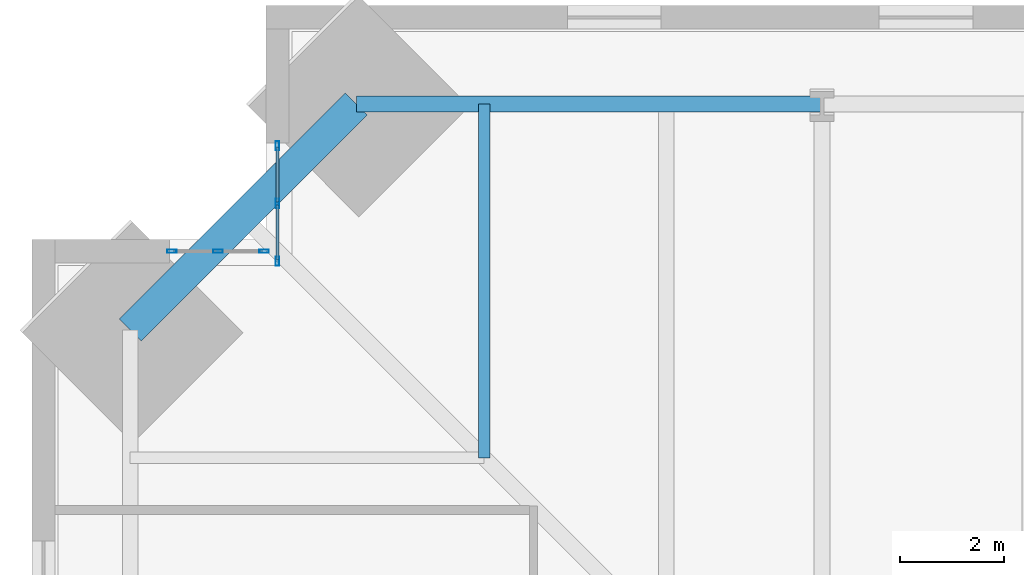
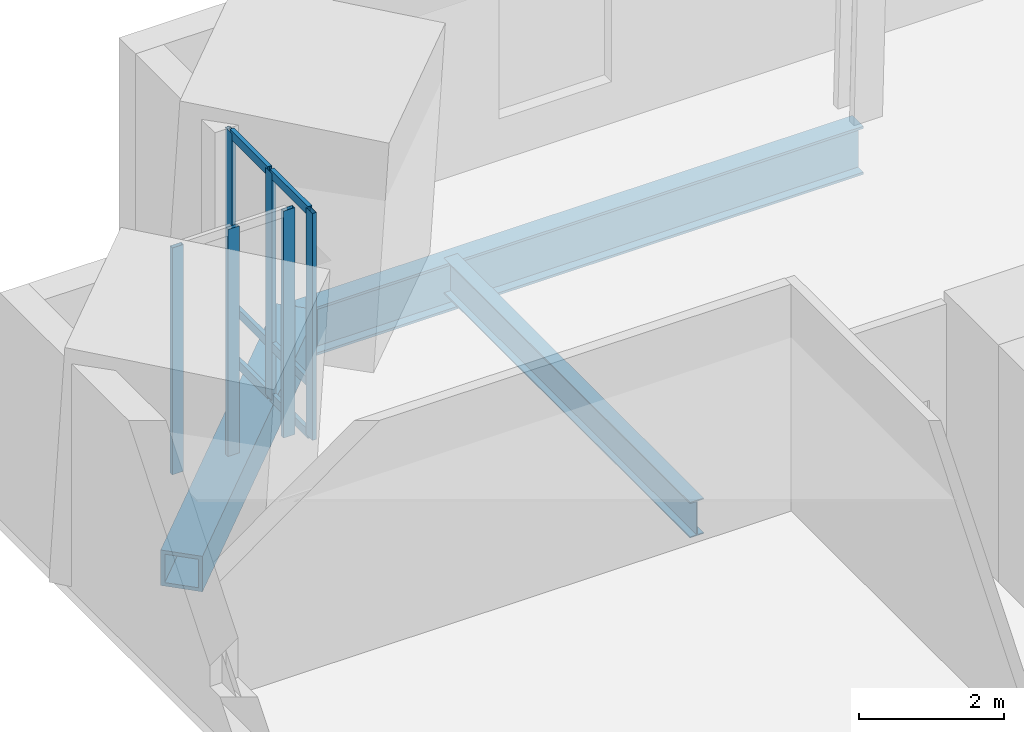
# One storey, part 6 of 15: 12 members, 3 beams, 2 elements without a shape of their own.
"""IFC4 building model written with IfcOpenShell, lengths in metres."""

from ifc_helpers import new_model, si_unit, direction, frame, origin, origin_2d, place, context, subcontext, project, spatial, hollow_rectangle, i_section, extrude, material, material_profile, profile_set, type_object, element, aggregate, save


model = new_model("IFC4")

# Units and contexts
model_context = context("Model", 3, precision=1e-05, world=origin(), true_north=direction((0.0, 1.0)))
body_context = subcontext(model_context, "Body", "Model", "MODEL_VIEW")
ifc_project = project(units=[si_unit("LENGTHUNIT", "METRE"), si_unit("AREAUNIT", "SQUARE_METRE"), si_unit("VOLUMEUNIT", "CUBIC_METRE"), si_unit("PLANEANGLEUNIT", "RADIAN"), si_unit("MASSUNIT", "GRAM", prefix="KILO")], contexts=[model_context])

# Site, building, storey
site_placement = place(None, origin())
site = spatial("IfcSite", under=ifc_project, at=site_placement, CompositionType="ELEMENT")
building_placement = place(site_placement, origin())
building = spatial("IfcBuilding", under=site, at=building_placement, Name="Peilmerk Tower", CompositionType="ELEMENT")
storey_placement = place(building_placement, frame((0.0, 0.0, 237.800048828125)))
storey = spatial("IfcBuildingStorey", under=building, at=storey_placement, Name="L52", CompositionType="ELEMENT", Elevation=237.800048828125)

# Beams
ifc_material_1 = material(Name="Steel S355", Category="steel")
ifc_material_profile_1 = material_profile(ifc_material_1, i_section(OverallWidth=0.219970703125, OverallDepth=0.60009765625, WebThickness=0.011962890625, FlangeThickness=0.01904296875, at=origin_2d()), Name="IPE 600")
ifc_profile_set_1 = profile_set([ifc_material_profile_1], Name="Steel S355")
beam_type_1 = type_object("IfcBeamType", Name="B10 IPE 600 floor beam", PredefinedType="BEAM", material=ifc_profile_set_1)
beam_1_placement = place(storey_placement, frame((-14.5, 14.5, -0.469970703125), z_axis=(0.0, 1.0, 0.0), x_axis=(-1.0, 0.0, 0.0)))
element("IfcBeam", 1, at=beam_1_placement, inside=storey, type_object=beam_type_1, Name="Floor beam L52", PredefinedType="BEAM", context=body_context, shape_type="SweptSolid", body=[
    extrude(i_section(OverallWidth=0.219970703125, OverallDepth=0.60009765625, WebThickness=0.011962890625, FlangeThickness=0.01904296875, at=origin_2d()), origin(), (0.0, 0.0, 1.0), 6.80810546875),
])
ifc_material_profile_2 = material_profile(ifc_material_1, i_section(OverallWidth=0.302978515625, OverallDepth=0.81396484375, WebThickness=0.02099609375, FlangeThickness=0.0400390625, at=origin_2d()), Name="HEM 800")
ifc_profile_set_2 = profile_set([ifc_material_profile_2], Name="Steel S355")
beam_type_2 = type_object("IfcBeamType", Name="B15 HEM 800 edge beam", PredefinedType="SPANDREL", material=ifc_profile_set_2)
beam_2_placement = place(storey_placement, frame((-8.0, 21.30810546875, -0.5771484375), z_axis=(-1.0, 0.0, 0.0), x_axis=(0.0, -1.0, 0.0)))
element("IfcBeam", 2, at=beam_2_placement, inside=storey, type_object=beam_type_2, Name="Edge beam L52", PredefinedType="SPANDREL", context=body_context, shape_type="SweptSolid", body=[
    extrude(i_section(OverallWidth=0.302978515625, OverallDepth=0.81396484375, WebThickness=0.02099609375, FlangeThickness=0.0400390625, at=origin_2d()), origin(), (0.0, 0.0, 1.0), 8.9580078125),
])
ifc_material_2 = material(Name="Steel S460", Category="steel")
ifc_material_profile_3 = material_profile(ifc_material_2, hollow_rectangle(XDim=0.60009765625, YDim=0.60009765625, WallThickness=0.06005859375, at=origin_2d()), Name="BOX 600x600x60")
ifc_profile_set_3 = profile_set([ifc_material_profile_3], Name="Steel S460")
beam_type_3 = type_object("IfcBeamType", Name="B20 BOX 600x600x60 notch beam", PredefinedType="SPANDREL", material=ifc_profile_set_3)
beam_3_placement = place(storey_placement, frame((-21.30810546875, 16.9580078125, -0.469970703125), z_axis=(0.707106781187, 0.707106781187, 0.0), x_axis=(-0.707106781187, 0.707106781187, 0.0)))
element("IfcBeam", 3, at=beam_3_placement, inside=storey, type_object=beam_type_3, Name="Notch beam L52", PredefinedType="SPANDREL", context=body_context, shape_type="SweptSolid", body=[
    extrude(hollow_rectangle(XDim=0.60009765625, YDim=0.60009765625, WallThickness=0.06005859375, at=origin_2d()), origin(), (0.0, 0.0, 1.0), 6.15185546875),
])

# Curtain wall, members
ifc_material_3 = material(Name="Aluminium stick curtain wall", Category="aluminium")
curtain_wall_type = type_object("IfcCurtainWallType", Name="CW4 stick curtain wall, 2250 module", PredefinedType="NOTDEFINED", material=ifc_material_3)
curtain_wall_1_placement = place(storey_placement, origin())
curtain_wall_1 = element("IfcCurtainWall", 4, at=curtain_wall_1_placement, inside=storey, type_object=curtain_wall_type, Name="Curtain wall CW4 NWA L52", PredefinedType="NOTDEFINED")
ifc_material_4 = material(Name="Aluminium EN AW-6063 T6", Category="aluminium")
ifc_material_profile_4 = material_profile(ifc_material_4, hollow_rectangle(XDim=0.06494140625, YDim=0.179931640625, WallThickness=0.0029296875, at=origin_2d()), Name="AL 180x65x3")
ifc_profile_set_4 = profile_set([ifc_material_profile_4], Name="Aluminium EN AW-6063 T6")
member_type_1 = type_object("IfcMemberType", Name="CW4-M AL 180x65x3 mullion", PredefinedType="MULLION", material=ifc_profile_set_4)
member_1_placement = place(storey_placement, frame((-18.47509765625, 18.282470703125, 0.0), z_axis=(0.0, 0.0, 1.0), x_axis=(-1.0, 0.0, 0.0)))
member_1 = element("IfcMember", 5, at=member_1_placement, type_object=member_type_1, Name="CW4 mullion 1", PredefinedType="MULLION", context=body_context, shape_type="SweptSolid", body=[
    extrude(hollow_rectangle(XDim=0.06494140625, YDim=0.179931640625, WallThickness=0.0029296875, at=origin_2d()), origin(), (0.0, 0.0, 1.0), 3.829833984375),
])
member_2_placement = place(storey_placement, frame((-18.47509765625, 19.394287109375, 0.0), z_axis=(0.0, 0.0, 1.0), x_axis=(-1.0, 0.0, 0.0)))
member_2 = element("IfcMember", 6, at=member_2_placement, type_object=member_type_1, Name="CW4 mullion 2", PredefinedType="MULLION", context=body_context, shape_type="SweptSolid", body=[
    extrude(hollow_rectangle(XDim=0.06494140625, YDim=0.179931640625, WallThickness=0.0029296875, at=origin_2d()), origin(), (0.0, 0.0, 1.0), 3.829833984375),
])
member_3_placement = place(storey_placement, frame((-18.47509765625, 20.506103515625, 0.0), z_axis=(0.0, 0.0, 1.0), x_axis=(-1.0, 0.0, 0.0)))
member_3 = element("IfcMember", 7, at=member_3_placement, type_object=member_type_1, Name="CW4 mullion 3", PredefinedType="MULLION", context=body_context, shape_type="SweptSolid", body=[
    extrude(hollow_rectangle(XDim=0.06494140625, YDim=0.179931640625, WallThickness=0.0029296875, at=origin_2d()), origin(), (0.0, 0.0, 1.0), 3.829833984375),
])

curtain_wall_2_placement = place(storey_placement, origin())
curtain_wall_2 = element("IfcCurtainWall", 8, at=curtain_wall_2_placement, inside=storey, type_object=curtain_wall_type, Name="Curtain wall CW4 NWB L52", PredefinedType="NOTDEFINED")
member_4_placement = place(storey_placement, frame((-18.732421875, 18.47509765625, 0.0), z_axis=(0.0, 0.0, 1.0), x_axis=(0.0, -1.0, 0.0)))
member_4 = element("IfcMember", 9, at=member_4_placement, type_object=member_type_1, Name="CW4 mullion 1", PredefinedType="MULLION", context=body_context, shape_type="SweptSolid", body=[
    extrude(hollow_rectangle(XDim=0.06494140625, YDim=0.179931640625, WallThickness=0.0029296875, at=origin_2d()), origin(), (0.0, 0.0, 1.0), 3.829833984375),
])
member_5_placement = place(storey_placement, frame((-19.619384765625, 18.47509765625, 0.0), z_axis=(0.0, 0.0, 1.0), x_axis=(0.0, -1.0, 0.0)))
member_5 = element("IfcMember", 10, at=member_5_placement, type_object=member_type_1, Name="CW4 mullion 2", PredefinedType="MULLION", context=body_context, shape_type="SweptSolid", body=[
    extrude(hollow_rectangle(XDim=0.06494140625, YDim=0.179931640625, WallThickness=0.0029296875, at=origin_2d()), origin(), (0.0, 0.0, 1.0), 3.829833984375),
])
member_6_placement = place(storey_placement, frame((-20.506103515625, 18.47509765625, 0.0), z_axis=(0.0, 0.0, 1.0), x_axis=(0.0, -1.0, 0.0)))
member_6 = element("IfcMember", 11, at=member_6_placement, type_object=member_type_1, Name="CW4 mullion 3", PredefinedType="MULLION", context=body_context, shape_type="SweptSolid", body=[
    extrude(hollow_rectangle(XDim=0.06494140625, YDim=0.179931640625, WallThickness=0.0029296875, at=origin_2d()), origin(), (0.0, 0.0, 1.0), 3.829833984375),
])
aggregate(curtain_wall_2, [member_4, member_5, member_6])

# Member
ifc_material_profile_5 = material_profile(ifc_material_4, hollow_rectangle(XDim=0.06494140625, YDim=0.14990234375, WallThickness=0.0029296875, at=origin_2d()), Name="AL 150x65x3")
ifc_profile_set_5 = profile_set([ifc_material_profile_5], Name="Aluminium EN AW-6063 T6")
member_type_2 = type_object("IfcMemberType", Name="CW4-T AL 150x65x3 transom", PredefinedType="USERDEFINED", material=ifc_profile_set_5)
member_7_placement = place(storey_placement, frame((-18.47509765625, 18.31494140625, 0.032470703125), z_axis=(0.0, 1.0, 0.0), x_axis=(-1.0, 0.0, 0.0)))
member_7 = element("IfcMember", 12, at=member_7_placement, type_object=member_type_2, Name="CW4 transom 1.1", ObjectType="TRANSOM", PredefinedType="USERDEFINED", context=body_context, shape_type="SweptSolid", body=[
    extrude(hollow_rectangle(XDim=0.06494140625, YDim=0.14990234375, WallThickness=0.0029296875, at=origin_2d()), origin(), (0.0, 0.0, 1.0), 1.046875),
])

member_8_placement = place(storey_placement, frame((-18.47509765625, 18.31494140625, 0.89990234375), z_axis=(0.0, 1.0, 0.0), x_axis=(-1.0, 0.0, 0.0)))
member_8 = element("IfcMember", 13, at=member_8_placement, type_object=member_type_2, Name="CW4 transom 1.2", ObjectType="TRANSOM", PredefinedType="USERDEFINED", context=body_context, shape_type="SweptSolid", body=[
    extrude(hollow_rectangle(XDim=0.06494140625, YDim=0.14990234375, WallThickness=0.0029296875, at=origin_2d()), origin(), (0.0, 0.0, 1.0), 1.046875),
])

member_9_placement = place(storey_placement, frame((-18.47509765625, 18.31494140625, 3.79736328125), z_axis=(0.0, 1.0, 0.0), x_axis=(-1.0, 0.0, 0.0)))
member_9 = element("IfcMember", 14, at=member_9_placement, type_object=member_type_2, Name="CW4 transom 1.3", ObjectType="TRANSOM", PredefinedType="USERDEFINED", context=body_context, shape_type="SweptSolid", body=[
    extrude(hollow_rectangle(XDim=0.06494140625, YDim=0.14990234375, WallThickness=0.0029296875, at=origin_2d()), origin(), (0.0, 0.0, 1.0), 1.046875),
])

member_10_placement = place(storey_placement, frame((-18.47509765625, 19.4267578125, 0.032470703125), z_axis=(0.0, 1.0, 0.0), x_axis=(-1.0, 0.0, 0.0)))
member_10 = element("IfcMember", 15, at=member_10_placement, type_object=member_type_2, Name="CW4 transom 2.1", ObjectType="TRANSOM", PredefinedType="USERDEFINED", context=body_context, shape_type="SweptSolid", body=[
    extrude(hollow_rectangle(XDim=0.06494140625, YDim=0.14990234375, WallThickness=0.0029296875, at=origin_2d()), origin(), (0.0, 0.0, 1.0), 1.046875),
])

member_11_placement = place(storey_placement, frame((-18.47509765625, 19.4267578125, 0.89990234375), z_axis=(0.0, 1.0, 0.0), x_axis=(-1.0, 0.0, 0.0)))
member_11 = element("IfcMember", 16, at=member_11_placement, type_object=member_type_2, Name="CW4 transom 2.2", ObjectType="TRANSOM", PredefinedType="USERDEFINED", context=body_context, shape_type="SweptSolid", body=[
    extrude(hollow_rectangle(XDim=0.06494140625, YDim=0.14990234375, WallThickness=0.0029296875, at=origin_2d()), origin(), (0.0, 0.0, 1.0), 1.046875),
])

member_12_placement = place(storey_placement, frame((-18.47509765625, 19.4267578125, 3.79736328125), z_axis=(0.0, 1.0, 0.0), x_axis=(-1.0, 0.0, 0.0)))
member_12 = element("IfcMember", 17, at=member_12_placement, type_object=member_type_2, Name="CW4 transom 2.3", ObjectType="TRANSOM", PredefinedType="USERDEFINED", context=body_context, shape_type="SweptSolid", body=[
    extrude(hollow_rectangle(XDim=0.06494140625, YDim=0.14990234375, WallThickness=0.0029296875, at=origin_2d()), origin(), (0.0, 0.0, 1.0), 1.046875),
])

aggregate(curtain_wall_1, [member_1, member_2, member_3, member_7, member_8, member_9, member_10, member_11, member_12])

save(model, "model.ifc")
